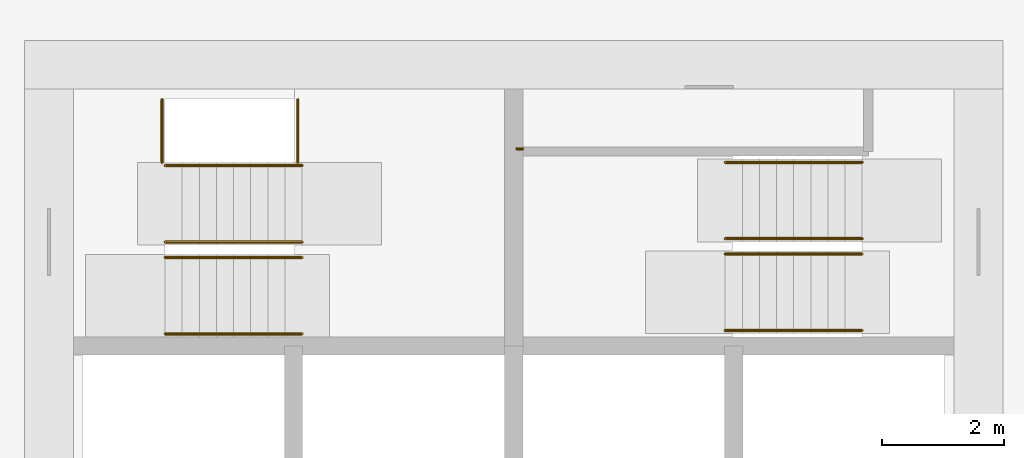
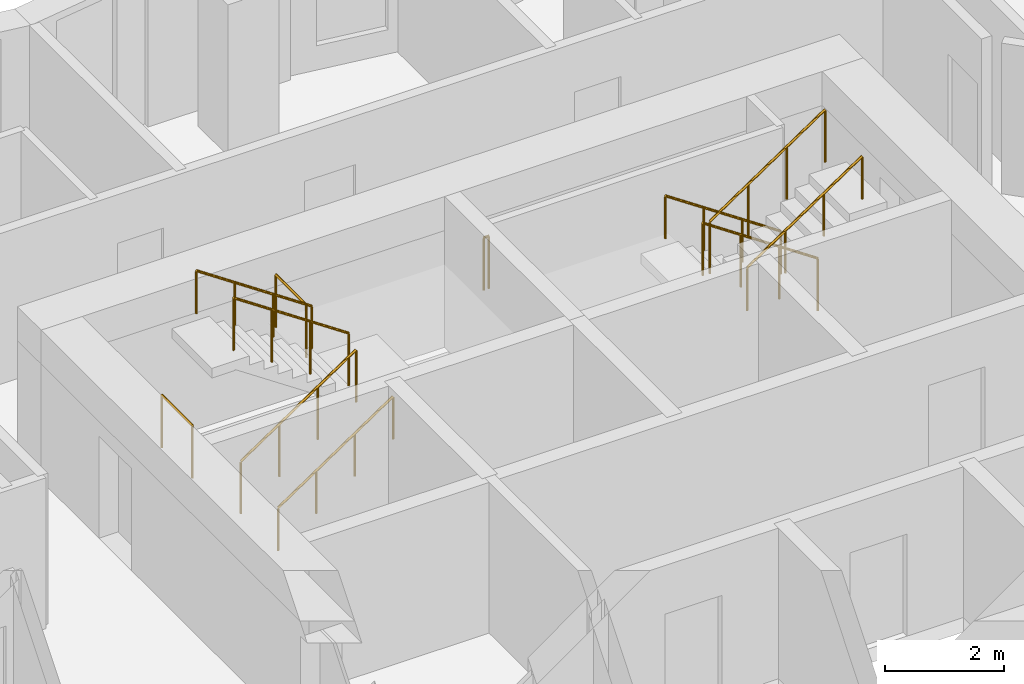
# One storey, part 12 of 13: 11 railings.
"""IFC4 building model written with IfcOpenShell, lengths in metres."""

from ifc_helpers import new_model, si_unit, direction, frame, origin, origin_2d, place, context, subcontext, project, spatial, circle, extrude, material, type_object, element, save


model = new_model("IFC4")

# Units and contexts
model_context = context("Model", 3, precision=1e-05, world=origin(), true_north=direction((0.0, 1.0)))
body_context = subcontext(model_context, "Body", "Model", "MODEL_VIEW")
ifc_project = project(units=[si_unit("LENGTHUNIT", "METRE"), si_unit("AREAUNIT", "SQUARE_METRE"), si_unit("VOLUMEUNIT", "CUBIC_METRE"), si_unit("PLANEANGLEUNIT", "RADIAN"), si_unit("MASSUNIT", "GRAM", prefix="KILO")], contexts=[model_context])

# Site, building, storey
site_placement = place(None, origin())
site = spatial("IfcSite", under=ifc_project, at=site_placement, CompositionType="ELEMENT")
building_placement = place(site_placement, origin())
building = spatial("IfcBuilding", under=site, at=building_placement, Name="Windrow Commons", CompositionType="ELEMENT")
storey_placement = place(building_placement, frame((0.0, 0.0, 111.8)))
storey = spatial("IfcBuildingStorey", under=building, at=storey_placement, Name="L30", CompositionType="ELEMENT", Elevation=111.8)

# Railings
ifc_material_1 = material(Name="Steel S355", Category="steel")
railing_type_1 = type_object("IfcRailingType", Name="Core stair guard 1100", PredefinedType="GUARDRAIL", material=ifc_material_1)
railing_1_placement = place(storey_placement, frame((59.1, 62.05, 0.1889)))
element("IfcRailing", 1, at=railing_1_placement, inside=storey, type_object=railing_type_1, Name="L30 ST-A1 stair guard 1", PredefinedType="GUARDRAIL", context=body_context, shape_type="SweptSolid", body=[
    extrude(circle(Radius=0.024, at=origin_2d()), frame((0.0, 0.0, 1.076), z_axis=(0.8290030985, 0.0, 0.5592440099), x_axis=(0.0, 1.0, 0.0)), (0.0, 0.0, 1.0), 2.702),
    extrude(circle(Radius=0.021, at=origin_2d()), origin(), (0.0, 0.0, 1.0), 1.052),
    extrude(circle(Radius=0.021, at=origin_2d()), frame((0.7467, 0.0, 0.5037)), (0.0, 0.0, 1.0), 1.052),
    extrude(circle(Radius=0.021, at=origin_2d()), frame((1.4933, 0.0, 1.0074)), (0.0, 0.0, 1.0), 1.052),
    extrude(circle(Radius=0.021, at=origin_2d()), frame((2.24, 0.0, 1.5111)), (0.0, 0.0, 1.0), 1.052),
])
railing_2_placement = place(storey_placement, frame((61.34, 62.3, 1.8889)))
element("IfcRailing", 2, at=railing_2_placement, inside=storey, type_object=railing_type_1, Name="L30 ST-A1 stair guard 2", PredefinedType="GUARDRAIL", context=body_context, shape_type="SweptSolid", body=[
    extrude(circle(Radius=0.024, at=origin_2d()), frame((0.0, 0.0, 1.076), z_axis=(-0.8290030985, 0.0, 0.5592440099), x_axis=(0.0, -1.0, 0.0)), (0.0, 0.0, 1.0), 2.702),
    extrude(circle(Radius=0.021, at=origin_2d()), origin(), (0.0, 0.0, 1.0), 1.052),
    extrude(circle(Radius=0.021, at=origin_2d()), frame((-0.7467, 0.0, 0.5037)), (0.0, 0.0, 1.0), 1.052),
    extrude(circle(Radius=0.021, at=origin_2d()), frame((-1.4933, 0.0, 1.0074)), (0.0, 0.0, 1.0), 1.052),
    extrude(circle(Radius=0.021, at=origin_2d()), frame((-2.24, 0.0, 1.5111)), (0.0, 0.0, 1.0), 1.052),
])
for number, where, name in (
    (3, (59.05, 63.6, 0.0), "L30 ST-A1 stair guard 3"),
    (4, (61.27, 63.6, 1.7), "L30 ST-A1 stair guard 4"),
):
    element("IfcRailing", number, at=place(storey_placement, frame(where)), inside=storey, type_object=railing_type_1, Name=name, PredefinedType="GUARDRAIL", context=body_context, shape_type="SweptSolid", body=[
        extrude(circle(Radius=0.024, at=origin_2d()), frame((0.0, 0.0, 1.076), z_axis=(0.0, 1.0, 0.0), x_axis=(-1.0, 0.0, 0.0)), (0.0, 0.0, 1.0), 1.03),
        extrude(circle(Radius=0.021, at=origin_2d()), origin(), (0.0, 0.0, 1.0), 1.052),
        extrude(circle(Radius=0.021, at=origin_2d()), frame((0.0, 1.03, 0.0)), (0.0, 0.0, 1.0), 1.052),
    ])
railing_3_placement = place(storey_placement, frame((70.5, 62.355, 0.1889)))
element("IfcRailing", 5, at=railing_3_placement, inside=storey, type_object=railing_type_1, Name="L30 ST-A2 stair guard 1", PredefinedType="GUARDRAIL", context=body_context, shape_type="SweptSolid", body=[
    extrude(circle(Radius=0.024, at=origin_2d()), frame((0.0, 0.0, 1.076), z_axis=(-0.8290030985, 0.0, 0.5592440099), x_axis=(0.0, -1.0, 0.0)), (0.0, 0.0, 1.0), 2.702),
    extrude(circle(Radius=0.021, at=origin_2d()), origin(), (0.0, 0.0, 1.0), 1.052),
    extrude(circle(Radius=0.021, at=origin_2d()), frame((-0.7467, 0.0, 0.5037)), (0.0, 0.0, 1.0), 1.052),
    extrude(circle(Radius=0.021, at=origin_2d()), frame((-1.4933, 0.0, 1.0074)), (0.0, 0.0, 1.0), 1.052),
    extrude(circle(Radius=0.021, at=origin_2d()), frame((-2.24, 0.0, 1.5111)), (0.0, 0.0, 1.0), 1.052),
])
railing_4_placement = place(storey_placement, frame((68.26, 62.105, 1.8889)))
element("IfcRailing", 6, at=railing_4_placement, inside=storey, type_object=railing_type_1, Name="L30 ST-A2 stair guard 2", PredefinedType="GUARDRAIL", context=body_context, shape_type="SweptSolid", body=[
    extrude(circle(Radius=0.024, at=origin_2d()), frame((0.0, 0.0, 1.076), z_axis=(0.8290030985, 0.0, 0.5592440099), x_axis=(0.0, 1.0, 0.0)), (0.0, 0.0, 1.0), 2.702),
    extrude(circle(Radius=0.021, at=origin_2d()), origin(), (0.0, 0.0, 1.0), 1.052),
    extrude(circle(Radius=0.021, at=origin_2d()), frame((0.7467, 0.0, 0.5037)), (0.0, 0.0, 1.0), 1.052),
    extrude(circle(Radius=0.021, at=origin_2d()), frame((1.4933, 0.0, 1.0074)), (0.0, 0.0, 1.0), 1.052),
    extrude(circle(Radius=0.021, at=origin_2d()), frame((2.24, 0.0, 1.5111)), (0.0, 0.0, 1.0), 1.052),
])
railing_5_placement = place(storey_placement, frame((64.95, 63.825, 1.7)))
element("IfcRailing", 7, at=railing_5_placement, inside=storey, type_object=railing_type_1, Name="L30 ST-A2 stair guard 3", PredefinedType="GUARDRAIL", context=body_context, shape_type="SweptSolid", body=[
    extrude(circle(Radius=0.024, at=origin_2d()), frame((0.0, 0.0, 1.076), z_axis=(-1.0, 0.0, 0.0), x_axis=(0.0, -1.0, 0.0)), (0.0, 0.0, 1.0), 0.1),
    extrude(circle(Radius=0.021, at=origin_2d()), origin(), (0.0, 0.0, 1.0), 1.052),
    extrude(circle(Radius=0.021, at=origin_2d()), frame((-0.1, 0.0, 0.0)), (0.0, 0.0, 1.0), 1.052),
])
ifc_material_2 = material(Name="Steel S355", Category="steel")
railing_type_2 = type_object("IfcRailingType", Name="Core stair handrail 900", PredefinedType="HANDRAIL", material=ifc_material_2)
railing_6_placement = place(storey_placement, frame((59.1, 60.8, 0.1889)))
element("IfcRailing", 8, at=railing_6_placement, inside=storey, type_object=railing_type_2, Name="L30 ST-A1 stair handrail 1", PredefinedType="HANDRAIL", context=body_context, shape_type="SweptSolid", body=[
    extrude(circle(Radius=0.024, at=origin_2d()), frame((0.0, 0.0, 0.876), z_axis=(0.8290030985, 0.0, 0.5592440099), x_axis=(0.0, 1.0, 0.0)), (0.0, 0.0, 1.0), 2.702),
    extrude(circle(Radius=0.021, at=origin_2d()), origin(), (0.0, 0.0, 1.0), 0.852),
    extrude(circle(Radius=0.021, at=origin_2d()), frame((0.7467, 0.0, 0.5037)), (0.0, 0.0, 1.0), 0.852),
    extrude(circle(Radius=0.021, at=origin_2d()), frame((1.4933, 0.0, 1.0074)), (0.0, 0.0, 1.0), 0.852),
    extrude(circle(Radius=0.021, at=origin_2d()), frame((2.24, 0.0, 1.5111)), (0.0, 0.0, 1.0), 0.852),
])
for number, where, name in (
    (9, (61.34, 63.55, 1.8889), "L30 ST-A1 stair handrail 2"),
    (10, (70.5, 63.605, 0.1889), "L30 ST-A2 stair handrail 1"),
):
    element("IfcRailing", number, at=place(storey_placement, frame(where)), inside=storey, type_object=railing_type_2, Name=name, PredefinedType="HANDRAIL", context=body_context, shape_type="SweptSolid", body=[
        extrude(circle(Radius=0.024, at=origin_2d()), frame((0.0, 0.0, 0.876), z_axis=(-0.8290030985, 0.0, 0.5592440099), x_axis=(0.0, -1.0, 0.0)), (0.0, 0.0, 1.0), 2.702),
        extrude(circle(Radius=0.021, at=origin_2d()), origin(), (0.0, 0.0, 1.0), 0.852),
        extrude(circle(Radius=0.021, at=origin_2d()), frame((-0.7467, 0.0, 0.5037)), (0.0, 0.0, 1.0), 0.852),
        extrude(circle(Radius=0.021, at=origin_2d()), frame((-1.4933, 0.0, 1.0074)), (0.0, 0.0, 1.0), 0.852),
        extrude(circle(Radius=0.021, at=origin_2d()), frame((-2.24, 0.0, 1.5111)), (0.0, 0.0, 1.0), 0.852),
    ])
railing_7_placement = place(storey_placement, frame((68.26, 60.855, 1.8889)))
element("IfcRailing", 11, at=railing_7_placement, inside=storey, type_object=railing_type_2, Name="L30 ST-A2 stair handrail 2", PredefinedType="HANDRAIL", context=body_context, shape_type="SweptSolid", body=[
    extrude(circle(Radius=0.024, at=origin_2d()), frame((0.0, 0.0, 0.876), z_axis=(0.8290030985, 0.0, 0.5592440099), x_axis=(0.0, 1.0, 0.0)), (0.0, 0.0, 1.0), 2.702),
    extrude(circle(Radius=0.021, at=origin_2d()), origin(), (0.0, 0.0, 1.0), 0.852),
    extrude(circle(Radius=0.021, at=origin_2d()), frame((0.7467, 0.0, 0.5037)), (0.0, 0.0, 1.0), 0.852),
    extrude(circle(Radius=0.021, at=origin_2d()), frame((1.4933, 0.0, 1.0074)), (0.0, 0.0, 1.0), 0.852),
    extrude(circle(Radius=0.021, at=origin_2d()), frame((2.24, 0.0, 1.5111)), (0.0, 0.0, 1.0), 0.852),
])

save(model, "model.ifc")
